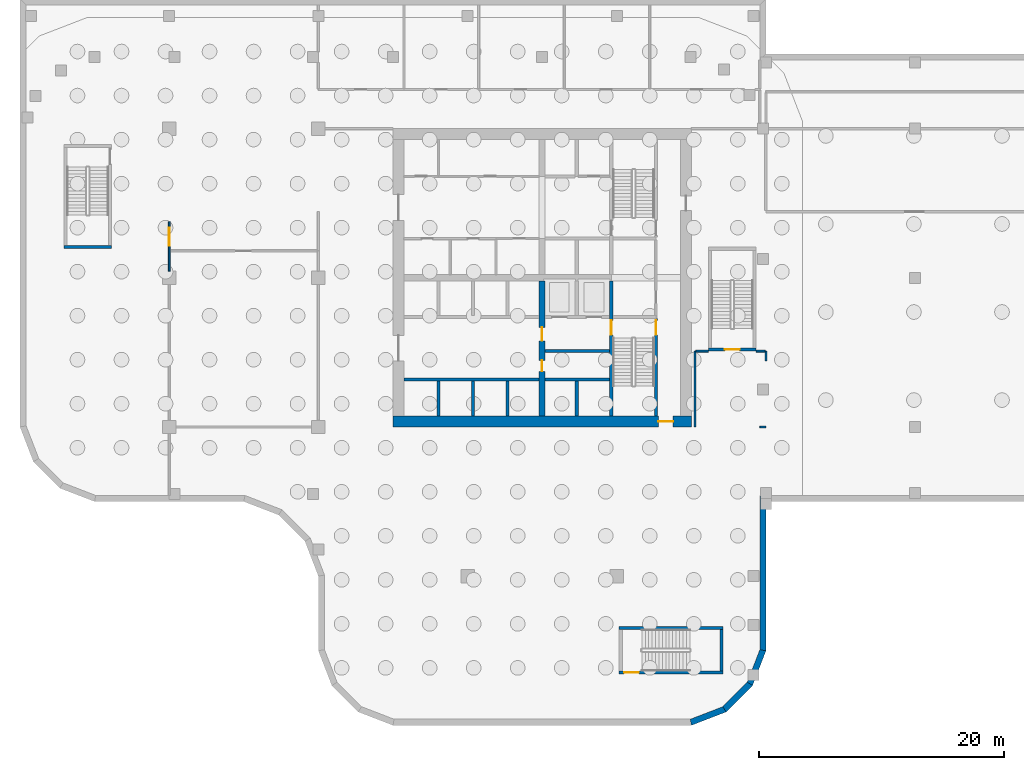
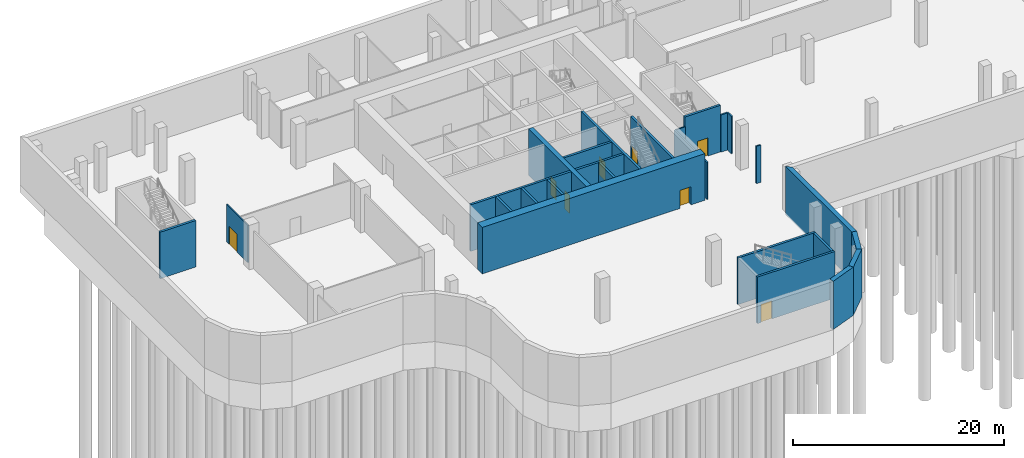
# One storey, part 4 of 13: 26 walls, 8 doors, 8 openings.
"""IFC4 building model written with IfcOpenShell, lengths in metres."""

from ifc_helpers import new_model, si_unit, direction, frame, frame_2d, origin, place, context, subcontext, project, spatial, polyline, rectangle, outline, extrude, source, transform, mapped, material, layer, layer_set, type_object, element, fill, save


model = new_model("IFC4")

# Units and contexts
model_context = context("Model", 3, precision=1e-05, world=origin(), true_north=direction((0.0, 1.0)))
body_context = subcontext(model_context, "Body", "Model", "MODEL_VIEW")
ifc_project = project(units=[si_unit("LENGTHUNIT", "METRE"), si_unit("AREAUNIT", "SQUARE_METRE"), si_unit("VOLUMEUNIT", "CUBIC_METRE"), si_unit("PLANEANGLEUNIT", "RADIAN"), si_unit("MASSUNIT", "GRAM", prefix="KILO")], contexts=[model_context])

# Site, building, storey
site_placement = place(None, origin())
site = spatial("IfcSite", under=ifc_project, at=site_placement, CompositionType="ELEMENT")
building_placement = place(site_placement, origin())
building = spatial("IfcBuilding", under=site, at=building_placement, Name="Tessera Gate Towers", CompositionType="ELEMENT")
storey_placement = place(building_placement, frame((0.0, 0.0, -5.39990234375)))
storey = spatial("IfcBuildingStorey", under=building, at=storey_placement, Name="B1", CompositionType="ELEMENT", Elevation=-5.39990234375)

# Wall, opening, door
ifc_material_1 = material(Name="Concrete C40/50", Category="concrete")
ifc_layer_1 = layer(ifc_material_1, 0.25)
ifc_layer_set_1 = layer_set([ifc_layer_1], Name="CORE ENCLOSURE WALL 250")
wall_type_1 = type_object("IfcWallType", Name="CORE ENCLOSURE WALL 250", PredefinedType="SOLIDWALL", material=ifc_layer_set_1)
wall_1_placement = place(storey_placement, frame((48.35009765625, 36.35009765625, 0.0), z_axis=(0.0, 0.0, 1.0), x_axis=(0.0, -1.0, 0.0)))
wall_1 = element("IfcWall", 1, at=wall_1_placement, inside=storey, type_object=wall_type_1, Name="B1 shaft and stair enclosure wall", PredefinedType="SOLIDWALL", context=body_context, shape_type="SweptSolid", body=[
    extrude(rectangle(XDim=11.050048828125, YDim=0.25, at=frame_2d((5.52490234375, 0.0))), origin(), (0.0, 0.0, 1.0), 5.39990234375),
])
shared_shape_1 = source(origin(), body_context, "Body", "SweptSolid", [
    extrude(rectangle(XDim=1.199951171875, YDim=2.10009765625, at=frame_2d((0.60009765625, 1.050048828125))), frame((0.0, 0.135009765625, 0.0), z_axis=(0.0, -1.0, 0.0), x_axis=(1.0, 0.0, 0.0)), (0.0, 0.0, 1.0), 0.27001953125),
])
opening_1_placement = place(wall_1_placement, frame((3.22509765625, 0.0, 0.0)))
opening_1 = element("IfcOpeningElement", 2, at=opening_1_placement, cuts=wall_1, Name="Opening SD-ST1-1", PredefinedType="OPENING", context=body_context, shape_type="MappedRepresentation", body=[
    mapped(shared_shape_1, transform((0.0, 0.0, 0.0), scale=1.0)),
])
ifc_material_2 = material(Name="Hollow steel fire door", Category="steel")
door_type_1 = type_object("IfcDoorType", Name="CORE DOOR SD 1200x2100", OperationType="NOTDEFINED", PredefinedType="DOOR", material=ifc_material_2)
shared_shape_2 = source(origin(), body_context, "Body", "SweptSolid", [
    extrude(rectangle(XDim=1.199951171875, YDim=2.10009765625, at=frame_2d((0.60009765625, 1.050048828125))), frame((0.0, 0.02490234375, 0.0), z_axis=(0.0, -1.0, 0.0), x_axis=(1.0, 0.0, 0.0)), (0.0, 0.0, 1.0), 0.050048828125),
])
door_1_placement = place(opening_1_placement, origin())
door_1 = element("IfcDoor", 3, at=door_1_placement, inside=storey, type_object=door_type_1, Name="Stair door", OperationType="SINGLE_SWING_LEFT", OverallHeight=2.10009765625, OverallWidth=1.199951171875, PredefinedType="DOOR", context=body_context, shape_type="MappedRepresentation", body=[
    mapped(shared_shape_2, transform((0.0, 0.0, 0.0), scale=1.0)),
])
fill(opening_1, door_1)

# Walls
wall_2_placement = place(storey_placement, frame((31.39990234375, 28.300048828125, 0.0), z_axis=(0.0, 0.0, 1.0), x_axis=(1.0, 0.0, 0.0)))
element("IfcWall", 4, at=wall_2_placement, inside=storey, type_object=wall_type_1, Name="B1 shaft and stair enclosure wall", PredefinedType="SOLIDWALL", context=body_context, shape_type="SweptSolid", body=[
    extrude(rectangle(XDim=11.050048828125, YDim=0.25, at=frame_2d((5.52490234375, 0.0))), origin(), (0.0, 0.0, 1.0), 5.39990234375),
])
wall_3_placement = place(storey_placement, frame((42.949951171875, 28.300048828125, 0.0), z_axis=(0.0, 0.0, 1.0), x_axis=(1.0, 0.0, 0.0)))
element("IfcWall", 5, at=wall_3_placement, inside=storey, type_object=wall_type_1, Name="B1 shaft and stair enclosure wall", PredefinedType="SOLIDWALL", context=body_context, shape_type="SweptSolid", body=[
    extrude(rectangle(XDim=5.275146484375, YDim=0.25, at=frame_2d((2.6376953125, 0.0))), origin(), (0.0, 0.0, 1.0), 5.39990234375),
])

# Wall, opening, door
wall_4_placement = place(storey_placement, frame((52.0, 25.300048828125, 0.0), z_axis=(0.0, 0.0, 1.0), x_axis=(0.0, 1.0, 0.0)))
wall_4 = element("IfcWall", 6, at=wall_4_placement, inside=storey, type_object=wall_type_1, Name="B1 shaft and stair enclosure wall", PredefinedType="SOLIDWALL", context=body_context, shape_type="SweptSolid", body=[
    extrude(rectangle(XDim=7.974853515625, YDim=0.25, at=frame_2d((3.9873046875, 0.0))), origin(), (0.0, 0.0, 1.0), 5.39990234375),
])
opening_2_placement = place(wall_4_placement, frame((6.625, 0.0, 0.0)))
opening_2 = element("IfcOpeningElement", 7, at=opening_2_placement, cuts=wall_4, Name="Opening SD-ST1-2", PredefinedType="OPENING", context=body_context, shape_type="MappedRepresentation", body=[
    mapped(shared_shape_1, transform((0.0, 0.0, 0.0), scale=1.0)),
])
door_2_placement = place(opening_2_placement, origin())
door_2 = element("IfcDoor", 8, at=door_2_placement, inside=storey, type_object=door_type_1, Name="Stair door", OperationType="SINGLE_SWING_RIGHT", OverallHeight=2.10009765625, OverallWidth=1.199951171875, PredefinedType="DOOR", context=body_context, shape_type="MappedRepresentation", body=[
    mapped(shared_shape_2, transform((0.0, 0.0, 0.0), scale=1.0)),
])
fill(opening_2, door_2)

# Walls
wall_5_placement = place(storey_placement, frame((42.949951171875, 30.60009765625, 0.0), z_axis=(0.0, 0.0, 1.0), x_axis=(1.0, 0.0, 0.0)))
element("IfcWall", 9, at=wall_5_placement, inside=storey, type_object=wall_type_1, Name="B1 shaft and stair enclosure wall", PredefinedType="SOLIDWALL", context=body_context, shape_type="SweptSolid", body=[
    extrude(rectangle(XDim=5.275146484375, YDim=0.25, at=frame_2d((2.6376953125, 0.0))), origin(), (0.0, 0.0, 1.0), 5.39990234375),
])
for number, where, z_axis, x_axis, name in (
    (10, (34.22509765625, 25.300048828125, 0.0), (0.0, 0.0, 1.0), (0.0, 1.0, 0.0), "B1 shaft and stair enclosure wall"),
    (11, (37.050048828125, 25.300048828125, 0.0), (0.0, 0.0, 1.0), (0.0, 1.0, 0.0), "B1 shaft and stair enclosure wall"),
    (12, (39.875, 25.300048828125, 0.0), (0.0, 0.0, 1.0), (0.0, 1.0, 0.0), "B1 shaft and stair enclosure wall"),
    (13, (45.52490234375, 25.300048828125, 0.0), (0.0, 0.0, 1.0), (0.0, 1.0, 0.0), "B1 shaft and stair enclosure wall"),
):
    element("IfcWall", number, at=place(storey_placement, frame(where, z_axis=z_axis, x_axis=x_axis)), inside=storey, type_object=wall_type_1, Name=name, PredefinedType="SOLIDWALL", context=body_context, shape_type="SweptSolid", body=[
        extrude(rectangle(XDim=2.875, YDim=0.25, at=frame_2d((1.4375, 0.0))), origin(), (0.0, 0.0, 1.0), 5.39990234375),
    ])
wall_6_placement = place(storey_placement, frame((7.5, 39.125, 0.0), z_axis=(0.0, 0.0, 1.0), x_axis=(-1.0, 0.0, 0.0)))
element("IfcWall", 14, at=wall_6_placement, inside=storey, type_object=wall_type_1, Name="B1 ST3 enclosure wall", PredefinedType="SOLIDWALL", context=body_context, shape_type="SweptSolid", body=[
    extrude(rectangle(XDim=3.89990234375, YDim=0.25, at=frame_2d((1.949951171875, 0.0))), origin(), (0.0, 0.0, 1.0), 5.39990234375),
])

# Wall, opening, door
wall_7_placement = place(storey_placement, frame((57.5, 4.324951171875, 0.0), z_axis=(0.0, 0.0, 1.0), x_axis=(-1.0, 0.0, 0.0)))
wall_7 = element("IfcWall", 15, at=wall_7_placement, inside=storey, type_object=wall_type_1, Name="B1 ST4 enclosure wall", PredefinedType="SOLIDWALL", context=body_context, shape_type="SweptSolid", body=[
    extrude(rectangle(XDim=8.5, YDim=0.25, at=frame_2d((4.25, 0.0))), origin(), (0.0, 0.0, 1.0), 5.39990234375),
])
opening_3_placement = place(wall_7_placement, frame((6.89990234375, 0.0, 0.0)))
opening_3 = element("IfcOpeningElement", 16, at=opening_3_placement, cuts=wall_7, Name="Opening SD-ST4-1", PredefinedType="OPENING", context=body_context, shape_type="MappedRepresentation", body=[
    mapped(shared_shape_1, transform((0.0, 0.0, 0.0), scale=1.0)),
])
door_3_placement = place(opening_3_placement, origin())
door_3 = element("IfcDoor", 17, at=door_3_placement, inside=storey, type_object=door_type_1, Name="Stair door", OperationType="SINGLE_SWING_RIGHT", OverallHeight=2.10009765625, OverallWidth=1.199951171875, PredefinedType="DOOR", context=body_context, shape_type="MappedRepresentation", body=[
    mapped(shared_shape_2, transform((0.0, 0.0, 0.0), scale=1.0)),
])
fill(opening_3, door_3)

# Walls
wall_8_placement = place(storey_placement, frame((49.0, 7.97509765625, 0.0), z_axis=(0.0, 0.0, 1.0), x_axis=(1.0, 0.0, 0.0)))
element("IfcWall", 18, at=wall_8_placement, inside=storey, type_object=wall_type_1, Name="B1 ST4 enclosure wall", PredefinedType="SOLIDWALL", context=body_context, shape_type="SweptSolid", body=[
    extrude(rectangle(XDim=8.5, YDim=0.25, at=frame_2d((4.25, 0.0))), origin(), (0.0, 0.0, 1.0), 5.39990234375),
])
wall_9_placement = place(storey_placement, frame((57.375, 7.85009765625, 0.0), z_axis=(0.0, 0.0, 1.0), x_axis=(0.0, -1.0, 0.0)))
element("IfcWall", 19, at=wall_9_placement, inside=storey, type_object=wall_type_1, Name="B1 ST4 enclosure wall", PredefinedType="SOLIDWALL", context=body_context, shape_type="SweptSolid", body=[
    extrude(rectangle(XDim=3.400146484375, YDim=0.25, at=frame_2d((1.7001953125, 0.0))), origin(), (0.0, 0.0, 1.0), 5.39990234375),
])

# Wall, opening, door
wall_10_placement = place(storey_placement, frame((60.199951171875, 30.72509765625, 0.0), z_axis=(0.0, 0.0, 1.0), x_axis=(-1.0, 0.0, 0.0)))
wall_10 = element("IfcWall", 20, at=wall_10_placement, inside=storey, type_object=wall_type_1, Name="B1 ST5 enclosure wall", PredefinedType="SOLIDWALL", context=body_context, shape_type="SweptSolid", body=[
    extrude(rectangle(XDim=3.89990234375, YDim=0.25, at=frame_2d((1.949951171875, 0.0))), origin(), (0.0, 0.0, 1.0), 5.39990234375),
])
opening_4_placement = place(wall_10_placement, frame((1.35009765625, 0.0, 0.0)))
opening_4 = element("IfcOpeningElement", 21, at=opening_4_placement, cuts=wall_10, Name="Opening SD-ST5-1", PredefinedType="OPENING", context=body_context, shape_type="MappedRepresentation", body=[
    mapped(shared_shape_1, transform((0.0, 0.0, 0.0), scale=1.0)),
])
door_4_placement = place(opening_4_placement, origin())
door_4 = element("IfcDoor", 22, at=door_4_placement, inside=storey, type_object=door_type_1, Name="Stair door", OperationType="SINGLE_SWING_LEFT", OverallHeight=2.10009765625, OverallWidth=1.199951171875, PredefinedType="DOOR", context=body_context, shape_type="MappedRepresentation", body=[
    mapped(shared_shape_2, transform((0.0, 0.0, 0.0), scale=1.0)),
])
fill(opening_4, door_4)

ifc_material_3 = material(Name="Concrete C70/85", Category="concrete")
ifc_layer_2 = layer(ifc_material_3, 0.89990234375)
ifc_layer_set_2 = layer_set([ifc_layer_2], Name="CORE SHEAR WALL 900 C70/85")
wall_type_2 = type_object("IfcWallType", Name="CORE SHEAR WALL 900 C70/85", PredefinedType="SHEAR", material=ifc_layer_set_2)
wall_11_placement = place(storey_placement, frame((54.89990234375, 24.85009765625, 0.0), z_axis=(0.0, 0.0, 1.0), x_axis=(-1.0, 0.0, 0.0)))
wall_11 = element("IfcWall", 23, at=wall_11_placement, inside=storey, type_object=wall_type_2, Name="Core wall S B1", PredefinedType="SHEAR", context=body_context, shape_type="SweptSolid", body=[
    extrude(rectangle(XDim=24.39990234375, YDim=0.89990234375, at=frame_2d((12.199951171875, 0.0))), origin(), (0.0, 0.0, 1.0), 5.39990234375),
])
shared_shape_3 = source(origin(), body_context, "Body", "SweptSolid", [
    extrude(rectangle(XDim=1.199951171875, YDim=2.10009765625, at=frame_2d((0.60009765625, 1.050048828125))), frame((0.0, 0.4599609375, 0.0), z_axis=(0.0, -1.0, 0.0), x_axis=(1.0, 0.0, 0.0)), (0.0, 0.0, 1.0), 0.919921875),
])
opening_5_placement = place(wall_11_placement, frame((1.5, 0.0, 0.0)))
opening_5 = element("IfcOpeningElement", 24, at=opening_5_placement, cuts=wall_11, Name="Opening ED-T1-01-01", PredefinedType="OPENING", context=body_context, shape_type="MappedRepresentation", body=[
    mapped(shared_shape_3, transform((0.0, 0.0, 0.0), scale=1.0)),
])
ifc_material_4 = material(Name="Hollow steel fire door", Category="steel")
door_type_2 = type_object("IfcDoorType", Name="CORE DOOR ED 1200x2100", OperationType="NOTDEFINED", PredefinedType="DOOR", material=ifc_material_4)
door_5_placement = place(opening_5_placement, origin())
door_5 = element("IfcDoor", 25, at=door_5_placement, inside=storey, type_object=door_type_2, Name="Core exit door", OperationType="SINGLE_SWING_LEFT", OverallHeight=2.10009765625, OverallWidth=1.199951171875, PredefinedType="DOOR", context=body_context, shape_type="MappedRepresentation", body=[
    mapped(shared_shape_2, transform((0.0, 0.0, 0.0), scale=1.0)),
])
fill(opening_5, door_5)

# Wall, openings, doors
ifc_material_5 = material(Name="Concrete C70/85", Category="concrete")
ifc_layer_3 = layer(ifc_material_5, 0.5)
ifc_layer_set_3 = layer_set([ifc_layer_3], Name="CORE SPINE WALL 500 C70/85")
wall_type_3 = type_object("IfcWallType", Name="CORE SPINE WALL 500 C70/85", PredefinedType="SHEAR", material=ifc_layer_set_3)
wall_12_placement = place(storey_placement, frame((42.699951171875, 36.35009765625, 0.0), z_axis=(0.0, 0.0, 1.0), x_axis=(0.0, -1.0, 0.0)))
wall_12 = element("IfcWall", 26, at=wall_12_placement, inside=storey, type_object=wall_type_3, Name="Core wall spine B1", PredefinedType="SHEAR", context=body_context, shape_type="SweptSolid", body=[
    extrude(rectangle(XDim=11.050048828125, YDim=0.5, at=frame_2d((5.52490234375, 0.0))), origin(), (0.0, 0.0, 1.0), 5.39990234375),
])
shared_shape_4 = source(origin(), body_context, "Body", "SweptSolid", [
    extrude(rectangle(XDim=0.89990234375, YDim=2.10009765625, at=frame_2d((0.449951171875, 1.050048828125))), frame((0.0, 0.260009765625, 0.0), z_axis=(0.0, -1.0, 0.0), x_axis=(1.0, 0.0, 0.0)), (0.0, 0.0, 1.0), 0.52001953125),
])
opening_6_placement = place(wall_12_placement, frame((6.5, 0.0, 0.0)))
opening_6 = element("IfcOpeningElement", 27, at=opening_6_placement, cuts=wall_12, Name="Opening RD-T1-01-05", PredefinedType="OPENING", context=body_context, shape_type="MappedRepresentation", body=[
    mapped(shared_shape_4, transform((0.0, 0.0, 0.0), scale=1.0)),
])
shared_shape_5 = source(origin(), body_context, "Body", "SweptSolid", [
    extrude(rectangle(XDim=1.10009765625, YDim=2.10009765625, at=frame_2d((0.550048828125, 1.050048828125))), frame((0.0, 0.260009765625, 0.0), z_axis=(0.0, -1.0, 0.0), x_axis=(1.0, 0.0, 0.0)), (0.0, 0.0, 1.0), 0.52001953125),
])
opening_7_placement = place(wall_12_placement, frame((3.800048828125, 0.0, 0.0)))
opening_7 = element("IfcOpeningElement", 28, at=opening_7_placement, cuts=wall_12, Name="Opening FD-T1-01-06", PredefinedType="OPENING", context=body_context, shape_type="MappedRepresentation", body=[
    mapped(shared_shape_5, transform((0.0, 0.0, 0.0), scale=1.0)),
])
ifc_material_6 = material(Name="Hollow steel fire door", Category="steel")
door_type_3 = type_object("IfcDoorType", Name="CORE DOOR RD 900x2100", OperationType="NOTDEFINED", PredefinedType="DOOR", material=ifc_material_6)
shared_shape_6 = source(origin(), body_context, "Body", "SweptSolid", [
    extrude(rectangle(XDim=0.89990234375, YDim=2.10009765625, at=frame_2d((0.449951171875, 1.050048828125))), frame((0.0, 0.02490234375, 0.0), z_axis=(0.0, -1.0, 0.0), x_axis=(1.0, 0.0, 0.0)), (0.0, 0.0, 1.0), 0.050048828125),
])
door_6_placement = place(opening_6_placement, origin())
door_6 = element("IfcDoor", 29, at=door_6_placement, inside=storey, type_object=door_type_3, Name="Core room door", OperationType="SINGLE_SWING_RIGHT", OverallHeight=2.10009765625, OverallWidth=0.89990234375, PredefinedType="DOOR", context=body_context, shape_type="MappedRepresentation", body=[
    mapped(shared_shape_6, transform((0.0, 0.0, 0.0), scale=1.0)),
])
fill(opening_6, door_6)
ifc_material_7 = material(Name="Hollow steel fire door", Category="steel")
door_type_4 = type_object("IfcDoorType", Name="CORE DOOR FD 1100x2100", OperationType="NOTDEFINED", PredefinedType="DOOR", material=ifc_material_7)
shared_shape_7 = source(origin(), body_context, "Body", "SweptSolid", [
    extrude(rectangle(XDim=1.10009765625, YDim=2.10009765625, at=frame_2d((0.550048828125, 1.050048828125))), frame((0.0, 0.02490234375, 0.0), z_axis=(0.0, -1.0, 0.0), x_axis=(1.0, 0.0, 0.0)), (0.0, 0.0, 1.0), 0.050048828125),
])
door_7_placement = place(opening_7_placement, origin())
door_7 = element("IfcDoor", 30, at=door_7_placement, inside=storey, type_object=door_type_4, Name="Fire-fighting lobby door", OperationType="SINGLE_SWING_LEFT", OverallHeight=2.10009765625, OverallWidth=1.10009765625, PredefinedType="DOOR", context=body_context, shape_type="MappedRepresentation", body=[
    mapped(shared_shape_7, transform((0.0, 0.0, 0.0), scale=1.0)),
])
fill(opening_7, door_7)

# Walls
ifc_material_8 = material(Name="Gypsum board on steel studs, mineral wool", Category="steel")
ifc_layer_4 = layer(ifc_material_8, 0.14990234375)
ifc_layer_set_4 = layer_set([ifc_layer_4], Name="CORRIDOR WALL 150")
wall_type_4 = type_object("IfcWallType", Name="CORRIDOR WALL 150", PredefinedType="PARTITIONING", material=ifc_layer_set_4)
wall_13_placement = place(storey_placement, frame((55.199951171875, 24.39990234375, 0.0), z_axis=(0.0, 0.0, 1.0), x_axis=(0.0, 1.0, 0.0)))
element("IfcWall", 31, at=wall_13_placement, inside=storey, type_object=wall_type_4, Name="PODIUM-B1-PW-003", PredefinedType="PARTITIONING", context=body_context, shape_type="SweptSolid", body=[
    extrude(rectangle(XDim=6.2001953125, YDim=0.14990234375, at=frame_2d((3.10009765625, 0.0))), origin(), (0.0, 0.0, 1.0), 4.31494140625),
])
wall_14_placement = place(storey_placement, frame((60.5, 24.39990234375, 0.0), z_axis=(0.0, 0.0, 1.0), x_axis=(1.0, 0.0, 0.0)))
element("IfcWall", 32, at=wall_14_placement, inside=storey, type_object=wall_type_4, Name="PODIUM-B1-PW-004", PredefinedType="PARTITIONING", context=body_context, shape_type="SweptSolid", body=[
    extrude(rectangle(XDim=0.5, YDim=0.14990234375, at=frame_2d((0.25, 0.0))), origin(), (0.0, 0.0, 1.0), 4.31494140625),
])
wall_15_placement = place(storey_placement, frame((61.0, 29.800048828125, 0.0), z_axis=(0.0, 0.0, 1.0), x_axis=(0.0, 1.0, 0.0)))
element("IfcWall", 33, at=wall_15_placement, inside=storey, type_object=wall_type_4, Name="PODIUM-B1-PW-007", PredefinedType="PARTITIONING", context=body_context, shape_type="SweptSolid", body=[
    extrude(rectangle(XDim=0.800048828125, YDim=0.14990234375, at=frame_2d((0.39990234375, 0.0))), origin(), (0.0, 0.0, 1.0), 4.31494140625),
])
wall_16_placement = place(storey_placement, frame((55.27587890625, 30.60009765625, 0.0), z_axis=(0.0, 0.0, 1.0), x_axis=(1.0, 0.0, 0.0)))
element("IfcWall", 34, at=wall_16_placement, inside=storey, type_object=wall_type_4, Name="PODIUM-B1-PW-008", PredefinedType="PARTITIONING", context=body_context, shape_type="SweptSolid", body=[
    extrude(rectangle(XDim=1.024169921875, YDim=0.14990234375, at=frame_2d((0.51220703125, 0.0))), origin(), (0.0, 0.0, 1.0), 4.31494140625),
])
wall_17_placement = place(storey_placement, frame((60.199951171875, 30.60009765625, 0.0), z_axis=(0.0, 0.0, 1.0), x_axis=(1.0, 0.0, 0.0)))
element("IfcWall", 35, at=wall_17_placement, inside=storey, type_object=wall_type_4, Name="PODIUM-B1-PW-009", PredefinedType="PARTITIONING", context=body_context, shape_type="SweptSolid", body=[
    extrude(rectangle(XDim=0.72412109375, YDim=0.14990234375, at=frame_2d((0.362060546875, 0.0))), origin(), (0.0, 0.0, 1.0), 4.31494140625),
])
ifc_material_9 = material(Name="Concrete C40/50", Category="concrete")
ifc_layer_5 = layer(ifc_material_9, 0.5)
ifc_layer_set_5 = layer_set([ifc_layer_5], Name="RETAINING WALL 500 C40/50")
wall_type_5 = type_object("IfcWallType", Name="RETAINING WALL 500 C40/50", PredefinedType="SOLIDWALL", material=ifc_layer_set_5)
wall_18_placement = place(storey_placement, frame((0.0, 0.0, -0.2001953125)))
element("IfcWall", 36, at=wall_18_placement, inside=storey, type_object=wall_type_5, Name="PD-B1-RETAINING-01", PredefinedType="SOLIDWALL", context=body_context, shape_type="SweptSolid", body=[
    extrude(outline(polyline([(57.466796875, 1.526123046875), (57.74560546875, 1.09765625), (59.90234375, 3.25439453125), (59.473876953125, 3.533203125), (57.466796875, 1.526123046875)])), origin(), (0.0, 0.0, 1.0), 5.60009765625),
])
wall_19_placement = place(storey_placement, frame((0.0, 0.0, -0.2001953125)))
element("IfcWall", 37, at=wall_19_placement, inside=storey, type_object=wall_type_5, Name="PD-B1-RETAINING-02", PredefinedType="SOLIDWALL", context=body_context, shape_type="SweptSolid", body=[
    extrude(outline(polyline([(54.806884765625, 0.5), (54.89990234375, 0.0), (57.74560546875, 1.09765625), (57.466796875, 1.526123046875), (54.806884765625, 0.5)])), origin(), (0.0, 0.0, 1.0), 5.60009765625),
])
wall_20_placement = place(storey_placement, frame((0.0, 0.0, -0.2001953125)))
element("IfcWall", 38, at=wall_20_placement, inside=storey, type_object=wall_type_5, Name="PD-B1-RETAINING-23", PredefinedType="SOLIDWALL", context=body_context, shape_type="SweptSolid", body=[
    extrude(outline(polyline([(60.5, 6.193115234375), (61.0, 6.10009765625), (61.0, 18.300048828125), (60.5, 18.800048828125), (60.5, 6.193115234375)])), origin(), (0.0, 0.0, 1.0), 5.60009765625),
])
wall_21_placement = place(storey_placement, frame((0.0, 0.0, -0.2001953125)))
element("IfcWall", 39, at=wall_21_placement, inside=storey, type_object=wall_type_5, Name="PD-B1-RETAINING-24", PredefinedType="SOLIDWALL", context=body_context, shape_type="SweptSolid", body=[
    extrude(outline(polyline([(59.473876953125, 3.533203125), (59.90234375, 3.25439453125), (61.0, 6.10009765625), (60.5, 6.193115234375), (59.473876953125, 3.533203125)])), origin(), (0.0, 0.0, 1.0), 5.60009765625),
])

# Wall, opening, door
ifc_material_10 = material(Name="Gypsum board on steel studs, mineral wool", Category="steel")
ifc_layer_6 = layer(ifc_material_10, 0.14990234375)
ifc_layer_set_6 = layer_set([ifc_layer_6], Name="STORE WALL 150")
wall_type_6 = type_object("IfcWallType", Name="STORE WALL 150", PredefinedType="PARTITIONING", material=ifc_layer_set_6)
wall_22_placement = place(storey_placement, frame((12.199951171875, 37.15087890625, 0.0), z_axis=(0.0, 0.0, 1.0), x_axis=(0.0, 1.0, 0.0)))
wall_22 = element("IfcWall", 40, at=wall_22_placement, inside=storey, type_object=wall_type_6, Name="PODIUM-B1-PW-010", PredefinedType="PARTITIONING", context=body_context, shape_type="SweptSolid", body=[
    extrude(rectangle(XDim=4.049072265625, YDim=0.14990234375, at=frame_2d((2.0244140625, 0.0))), origin(), (0.0, 0.0, 1.0), 4.31494140625),
])
shared_shape_8 = source(origin(), body_context, "Body", "SweptSolid", [
    extrude(rectangle(XDim=1.5, YDim=2.10009765625, at=frame_2d((0.75, 1.050048828125))), frame((0.0, 0.0849609375, 0.0), z_axis=(0.0, -1.0, 0.0), x_axis=(1.0, 0.0, 0.0)), (0.0, 0.0, 1.0), 0.169921875),
])
opening_8_placement = place(wall_22_placement, frame((2.050048828125, 0.0, 0.0)))
opening_8 = element("IfcOpeningElement", 41, at=opening_8_placement, cuts=wall_22, Name="Opening D4150FD60-P00-01", PredefinedType="OPENING", context=body_context, shape_type="MappedRepresentation", body=[
    mapped(shared_shape_8, transform((0.0, 0.0, 0.0), scale=1.0)),
])
ifc_material_11 = material(Name="Timber door leaf in steel frame", Category="steel")
door_type_5 = type_object("IfcDoorType", Name="STORE DOOR 1500 FD60", OperationType="NOTDEFINED", PredefinedType="DOOR", material=ifc_material_11)
shared_shape_9 = source(origin(), body_context, "Body", "SweptSolid", [
    extrude(rectangle(XDim=1.5, YDim=2.10009765625, at=frame_2d((0.75, 1.050048828125))), frame((0.0, 0.02490234375, 0.0), z_axis=(0.0, -1.0, 0.0), x_axis=(1.0, 0.0, 0.0)), (0.0, 0.0, 1.0), 0.050048828125),
])
door_8_placement = place(opening_8_placement, origin())
door_8 = element("IfcDoor", 42, at=door_8_placement, inside=storey, type_object=door_type_5, Name="PODIUM-B1-PD-002", OperationType="SINGLE_SWING_LEFT", OverallHeight=2.10009765625, OverallWidth=1.5, PredefinedType="DOOR", context=body_context, shape_type="MappedRepresentation", body=[
    mapped(shared_shape_9, transform((0.0, 0.0, 0.0), scale=1.0)),
])
fill(opening_8, door_8)

save(model, "model.ifc")
